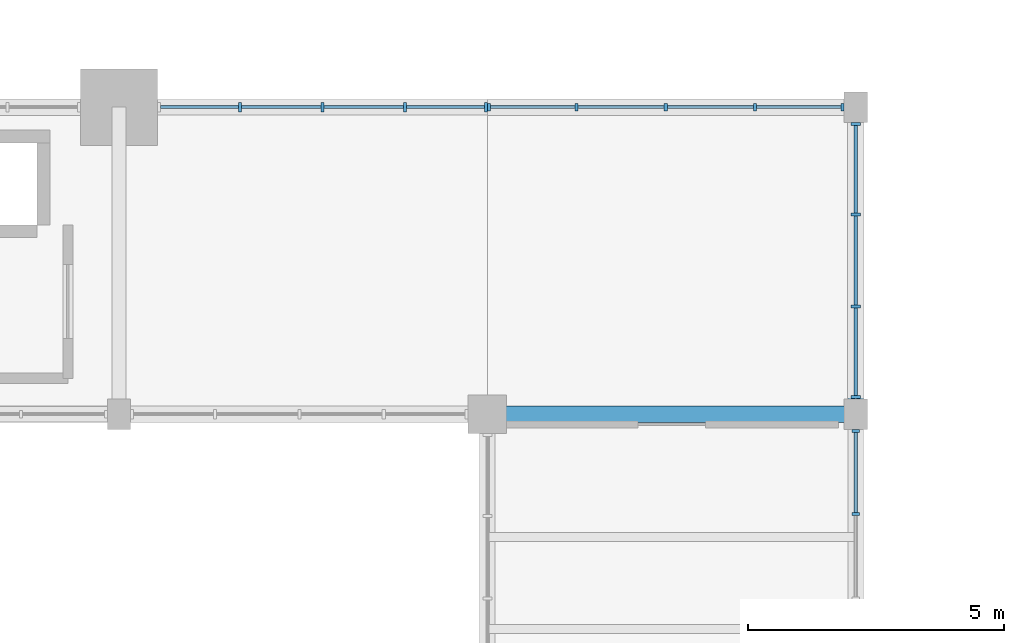
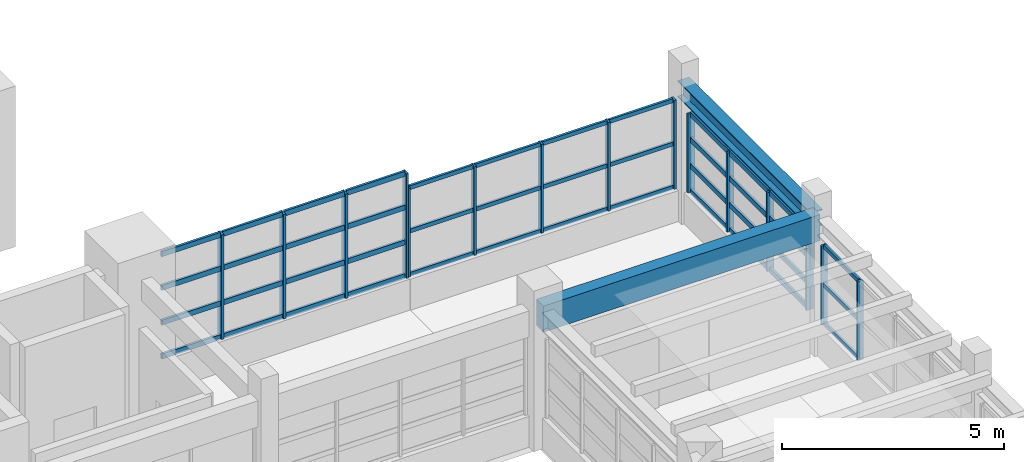
# One storey, part 8 of 69: 58 members, 2 beams, 4 elements without a shape of their own.
"""IFC4 building model written with IfcOpenShell, lengths in metres."""

from ifc_helpers import new_model, si_unit, direction, frame, origin, origin_2d, place, context, subcontext, project, spatial, rectangle, i_section, extrude, material, material_profile, profile_set, type_object, element, aggregate, save


model = new_model("IFC4")

# Units and contexts
model_context = context("Model", 3, precision=1e-05, world=origin(), true_north=direction((0.0, 1.0)))
body_context = subcontext(model_context, "Body", "Model", "MODEL_VIEW")
ifc_project = project(units=[si_unit("LENGTHUNIT", "METRE"), si_unit("AREAUNIT", "SQUARE_METRE"), si_unit("VOLUMEUNIT", "CUBIC_METRE"), si_unit("PLANEANGLEUNIT", "RADIAN"), si_unit("MASSUNIT", "GRAM", prefix="KILO")], contexts=[model_context])

# Site, building, storey
site_placement = place(None, origin())
site = spatial("IfcSite", under=ifc_project, at=site_placement, CompositionType="ELEMENT")
building_placement = place(site_placement, origin())
building = spatial("IfcBuilding", under=site, at=building_placement, Name="Nzembalo Square Collegiate School", CompositionType="ELEMENT")
storey_placement = place(building_placement, frame((0.0, 0.0, 5.10009765625)))
storey = spatial("IfcBuildingStorey", under=building, at=storey_placement, Name="L01", CompositionType="ELEMENT", Elevation=5.10009765625)

# Beams
ifc_material_1 = material(Name="Glulam GL32h", Category="wood")
ifc_material_profile_1 = material_profile(ifc_material_1, rectangle(XDim=0.320068359375, YDim=0.719970703125, at=origin_2d()), Name="GL32h 320x720")
ifc_profile_set_1 = profile_set([ifc_material_profile_1], Name="Glulam GL32h")
beam_type_1 = type_object("IfcBeamType", Name="B03", PredefinedType="BEAM", material=ifc_profile_set_1)
beam_1_placement = place(storey_placement, frame((30.0, 44.39990234375, 3.389892578125), z_axis=(1.0, 0.0, 0.0), x_axis=(0.0, 1.0, 0.0)))
element("IfcBeam", 1, at=beam_1_placement, inside=storey, type_object=beam_type_1, Name="Beam B03 L01", PredefinedType="BEAM", context=body_context, shape_type="SweptSolid", body=[
    extrude(rectangle(XDim=0.320068359375, YDim=0.719970703125, at=origin_2d()), origin(), (0.0, 0.0, 1.0), 7.199951171875),
])
ifc_material_2 = material(Name="Steel S355", Category="steel")
ifc_material_profile_2 = material_profile(ifc_material_2, i_section(OverallWidth=0.300048828125, OverallDepth=0.449951171875, WebThickness=0.013916015625, FlangeThickness=0.02587890625, at=origin_2d()), Name="HEB 450")
ifc_profile_set_2 = profile_set([ifc_material_profile_2], Name="Steel S355")
beam_type_2 = type_object("IfcBeamType", Name="B08", PredefinedType="BEAM", material=ifc_profile_set_2)
beam_2_placement = place(storey_placement, frame((37.199951171875, 44.39990234375, 3.52490234375), z_axis=(0.0, 1.0, 0.0), x_axis=(-1.0, 0.0, 0.0)))
element("IfcBeam", 2, at=beam_2_placement, inside=storey, type_object=beam_type_2, Name="Beam B08 L01", PredefinedType="BEAM", context=body_context, shape_type="SweptSolid", body=[
    extrude(i_section(OverallWidth=0.300048828125, OverallDepth=0.449951171875, WebThickness=0.013916015625, FlangeThickness=0.02587890625, at=origin_2d()), origin(), (0.0, 0.0, 1.0), 6.0),
])

# Curtain wall, members
ifc_material_3 = material(Name="Aluminium 6060-T66", Category="aluminium")
curtain_wall_type_1 = type_object("IfcCurtainWallType", Name="CW-06", PredefinedType="USERDEFINED", material=ifc_material_3)
curtain_wall_1_placement = place(storey_placement, origin())
curtain_wall_1 = element("IfcCurtainWall", 3, at=curtain_wall_1_placement, inside=storey, type_object=curtain_wall_type_1, Name="Curtain wall CW-06 cw:L01:037", ObjectType="LANCET", PredefinedType="USERDEFINED")
ifc_material_4 = material(Name="Aluminium 6060-T66", Category="aluminium")
ifc_material_profile_3 = material_profile(ifc_material_4, rectangle(XDim=0.06005859375, YDim=0.179931640625, at=origin_2d()), Name="ALU M60x180")
ifc_profile_set_3 = profile_set([ifc_material_profile_3], Name="Aluminium 6060-T66")
member_type_1 = type_object("IfcMemberType", Name="ML01", PredefinedType="MULLION", material=ifc_profile_set_3)
member_1_placement = place(storey_placement, frame((25.1640625, 50.39990234375, 0.849853515625), z_axis=(0.0, 0.0, 1.0), x_axis=(1.0, 0.0, 0.0)))
member_1 = element("IfcMember", 4, at=member_1_placement, type_object=member_type_1, Name="ML01 mullion 2", PredefinedType="MULLION", context=body_context, shape_type="SweptSolid", body=[
    extrude(rectangle(XDim=0.06005859375, YDim=0.179931640625, at=origin_2d()), origin(), (0.0, 0.0, 1.0), 2.8740234375),
])
member_2_placement = place(storey_placement, frame((26.77587890625, 50.39990234375, 0.849853515625), z_axis=(0.0, 0.0, 1.0), x_axis=(1.0, 0.0, 0.0)))
member_2 = element("IfcMember", 5, at=member_2_placement, type_object=member_type_1, Name="ML01 mullion 3", PredefinedType="MULLION", context=body_context, shape_type="SweptSolid", body=[
    extrude(rectangle(XDim=0.06005859375, YDim=0.179931640625, at=origin_2d()), origin(), (0.0, 0.0, 1.0), 2.8740234375),
])
member_3_placement = place(storey_placement, frame((28.387939453125, 50.39990234375, 0.849853515625), z_axis=(0.0, 0.0, 1.0), x_axis=(1.0, 0.0, 0.0)))
member_3 = element("IfcMember", 6, at=member_3_placement, type_object=member_type_1, Name="ML01 mullion 4", PredefinedType="MULLION", context=body_context, shape_type="SweptSolid", body=[
    extrude(rectangle(XDim=0.06005859375, YDim=0.179931640625, at=origin_2d()), origin(), (0.0, 0.0, 1.0), 2.8740234375),
])
member_4_placement = place(storey_placement, frame((29.969970703125, 50.39990234375, 0.849853515625), z_axis=(0.0, 0.0, 1.0), x_axis=(1.0, 0.0, 0.0)))
member_4 = element("IfcMember", 7, at=member_4_placement, type_object=member_type_1, Name="ML01 mullion 5", PredefinedType="MULLION", context=body_context, shape_type="SweptSolid", body=[
    extrude(rectangle(XDim=0.06005859375, YDim=0.179931640625, at=origin_2d()), origin(), (0.0, 0.0, 1.0), 2.8740234375),
])

ifc_material_5 = material(Name="Aluminium 6060-T66", Category="aluminium")
curtain_wall_type_2 = type_object("IfcCurtainWallType", Name="CW-13", PredefinedType="USERDEFINED", material=ifc_material_5)
curtain_wall_2_placement = place(storey_placement, origin())
curtain_wall_2 = element("IfcCurtainWall", 8, at=curtain_wall_2_placement, inside=storey, type_object=curtain_wall_type_2, Name="Curtain wall CW-13 cw:L01:044", ObjectType="UNITISED", PredefinedType="USERDEFINED")
member_5_placement = place(storey_placement, frame((37.199951171875, 44.73193359375, 0.849853515625), z_axis=(0.0, 0.0, 1.0), x_axis=(0.0, 1.0, 0.0)))
member_5 = element("IfcMember", 9, at=member_5_placement, type_object=member_type_1, Name="ML01 mullion 1", PredefinedType="MULLION", context=body_context, shape_type="SweptSolid", body=[
    extrude(rectangle(XDim=0.06005859375, YDim=0.179931640625, at=origin_2d()), origin(), (0.0, 0.0, 1.0), 2.174072265625),
])
member_6_placement = place(storey_placement, frame((37.199951171875, 46.500732421875, 0.849853515625), z_axis=(0.0, 0.0, 1.0), x_axis=(0.0, 1.0, 0.0)))
member_6 = element("IfcMember", 10, at=member_6_placement, type_object=member_type_1, Name="ML01 mullion 2", PredefinedType="MULLION", context=body_context, shape_type="SweptSolid", body=[
    extrude(rectangle(XDim=0.06005859375, YDim=0.179931640625, at=origin_2d()), origin(), (0.0, 0.0, 1.0), 2.174072265625),
])
member_7_placement = place(storey_placement, frame((37.199951171875, 48.29931640625, 0.849853515625), z_axis=(0.0, 0.0, 1.0), x_axis=(0.0, 1.0, 0.0)))
member_7 = element("IfcMember", 11, at=member_7_placement, type_object=member_type_1, Name="ML01 mullion 3", PredefinedType="MULLION", context=body_context, shape_type="SweptSolid", body=[
    extrude(rectangle(XDim=0.06005859375, YDim=0.179931640625, at=origin_2d()), origin(), (0.0, 0.0, 1.0), 2.174072265625),
])
member_8_placement = place(storey_placement, frame((37.199951171875, 50.068115234375, 0.849853515625), z_axis=(0.0, 0.0, 1.0), x_axis=(0.0, 1.0, 0.0)))
member_8 = element("IfcMember", 12, at=member_8_placement, type_object=member_type_1, Name="ML01 mullion 4", PredefinedType="MULLION", context=body_context, shape_type="SweptSolid", body=[
    extrude(rectangle(XDim=0.06005859375, YDim=0.179931640625, at=origin_2d()), origin(), (0.0, 0.0, 1.0), 2.174072265625),
])

ifc_material_6 = material(Name="Aluminium 6060-T66", Category="aluminium")
curtain_wall_type_3 = type_object("IfcCurtainWallType", Name="CW-07", PredefinedType="USERDEFINED", material=ifc_material_6)
curtain_wall_3_placement = place(storey_placement, origin())
curtain_wall_3 = element("IfcCurtainWall", 13, at=curtain_wall_3_placement, inside=storey, type_object=curtain_wall_type_3, Name="Curtain wall CW-07 cw:L01:038", ObjectType="LANCET", PredefinedType="USERDEFINED")
ifc_material_7 = material(Name="Aluminium 6060-T66", Category="aluminium")
ifc_material_profile_4 = material_profile(ifc_material_7, rectangle(XDim=0.06005859375, YDim=0.14990234375, at=origin_2d()), Name="ALU M60x150")
ifc_profile_set_4 = profile_set([ifc_material_profile_4], Name="Aluminium 6060-T66")
member_type_2 = type_object("IfcMemberType", Name="ML02", PredefinedType="MULLION", material=ifc_profile_set_4)
member_9_placement = place(storey_placement, frame((30.030029296875, 50.39990234375, 0.849853515625), z_axis=(0.0, 0.0, 1.0), x_axis=(1.0, 0.0, 0.0)))
member_9 = element("IfcMember", 14, at=member_9_placement, type_object=member_type_2, Name="ML02 mullion 1", PredefinedType="MULLION", context=body_context, shape_type="SweptSolid", body=[
    extrude(rectangle(XDim=0.06005859375, YDim=0.14990234375, at=origin_2d()), origin(), (0.0, 0.0, 1.0), 2.444091796875),
])
member_10_placement = place(storey_placement, frame((31.7431640625, 50.39990234375, 0.849853515625), z_axis=(0.0, 0.0, 1.0), x_axis=(1.0, 0.0, 0.0)))
member_10 = element("IfcMember", 15, at=member_10_placement, type_object=member_type_2, Name="ML02 mullion 2", PredefinedType="MULLION", context=body_context, shape_type="SweptSolid", body=[
    extrude(rectangle(XDim=0.06005859375, YDim=0.14990234375, at=origin_2d()), origin(), (0.0, 0.0, 1.0), 2.444091796875),
])
member_11_placement = place(storey_placement, frame((33.486572265625, 50.39990234375, 0.849853515625), z_axis=(0.0, 0.0, 1.0), x_axis=(1.0, 0.0, 0.0)))
member_11 = element("IfcMember", 16, at=member_11_placement, type_object=member_type_2, Name="ML02 mullion 3", PredefinedType="MULLION", context=body_context, shape_type="SweptSolid", body=[
    extrude(rectangle(XDim=0.06005859375, YDim=0.14990234375, at=origin_2d()), origin(), (0.0, 0.0, 1.0), 2.444091796875),
])
member_12_placement = place(storey_placement, frame((35.229736328125, 50.39990234375, 0.849853515625), z_axis=(0.0, 0.0, 1.0), x_axis=(1.0, 0.0, 0.0)))
member_12 = element("IfcMember", 17, at=member_12_placement, type_object=member_type_2, Name="ML02 mullion 4", PredefinedType="MULLION", context=body_context, shape_type="SweptSolid", body=[
    extrude(rectangle(XDim=0.06005859375, YDim=0.14990234375, at=origin_2d()), origin(), (0.0, 0.0, 1.0), 2.444091796875),
])
member_13_placement = place(storey_placement, frame((36.943115234375, 50.39990234375, 0.849853515625), z_axis=(0.0, 0.0, 1.0), x_axis=(1.0, 0.0, 0.0)))
member_13 = element("IfcMember", 18, at=member_13_placement, type_object=member_type_2, Name="ML02 mullion 5", PredefinedType="MULLION", context=body_context, shape_type="SweptSolid", body=[
    extrude(rectangle(XDim=0.06005859375, YDim=0.14990234375, at=origin_2d()), origin(), (0.0, 0.0, 1.0), 2.444091796875),
])

ifc_material_8 = material(Name="Aluminium 6060-T66", Category="aluminium")
curtain_wall_type_4 = type_object("IfcCurtainWallType", Name="CW-04", PredefinedType="USERDEFINED", material=ifc_material_8)
curtain_wall_4_placement = place(storey_placement, origin())
curtain_wall_4 = element("IfcCurtainWall", 19, at=curtain_wall_4_placement, inside=storey, type_object=curtain_wall_type_4, Name="Curtain wall CW-04 cw:L01:043", ObjectType="UNITISED", PredefinedType="USERDEFINED")
member_14_placement = place(storey_placement, frame((37.199951171875, 42.448974609375, 0.849853515625), z_axis=(0.0, 0.0, 1.0), x_axis=(0.0, 1.0, 0.0)))
member_14 = element("IfcMember", 20, at=member_14_placement, type_object=member_type_2, Name="ML02 mullion 4", PredefinedType="MULLION", context=body_context, shape_type="SweptSolid", body=[
    extrude(rectangle(XDim=0.06005859375, YDim=0.14990234375, at=origin_2d()), origin(), (0.0, 0.0, 1.0), 2.174072265625),
])
member_15_placement = place(storey_placement, frame((37.199951171875, 44.068115234375, 0.849853515625), z_axis=(0.0, 0.0, 1.0), x_axis=(0.0, 1.0, 0.0)))
member_15 = element("IfcMember", 21, at=member_15_placement, type_object=member_type_2, Name="ML02 mullion 5", PredefinedType="MULLION", context=body_context, shape_type="SweptSolid", body=[
    extrude(rectangle(XDim=0.06005859375, YDim=0.14990234375, at=origin_2d()), origin(), (0.0, 0.0, 1.0), 2.174072265625),
])

# Member
ifc_material_9 = material(Name="Aluminium 6060-T66", Category="aluminium")
ifc_material_profile_5 = material_profile(ifc_material_9, rectangle(XDim=0.06005859375, YDim=0.139892578125, at=origin_2d()), Name="ALU T60x140")
ifc_profile_set_5 = profile_set([ifc_material_profile_5], Name="Aluminium 6060-T66")
member_type_3 = type_object("IfcMemberType", Name="TR01", PredefinedType="USERDEFINED", material=ifc_profile_set_5)
member_16_placement = place(storey_placement, frame((23.612060546875, 50.39990234375, 0.8798828125), z_axis=(1.0, 0.0, 0.0), x_axis=(0.0, 1.0, 0.0)))
member_16 = element("IfcMember", 22, at=member_16_placement, type_object=member_type_3, Name="TR01 transom 1-1", ObjectType="TRANSOM", PredefinedType="USERDEFINED", context=body_context, shape_type="SweptSolid", body=[
    extrude(rectangle(XDim=0.06005859375, YDim=0.139892578125, at=origin_2d()), origin(), (0.0, 0.0, 1.0), 1.52197265625),
])

member_17_placement = place(storey_placement, frame((25.194091796875, 50.39990234375, 0.8798828125), z_axis=(1.0, 0.0, 0.0), x_axis=(0.0, 1.0, 0.0)))
member_17 = element("IfcMember", 23, at=member_17_placement, type_object=member_type_3, Name="TR01 transom 1-2", ObjectType="TRANSOM", PredefinedType="USERDEFINED", context=body_context, shape_type="SweptSolid", body=[
    extrude(rectangle(XDim=0.06005859375, YDim=0.139892578125, at=origin_2d()), origin(), (0.0, 0.0, 1.0), 1.552001953125),
])

member_18_placement = place(storey_placement, frame((26.805908203125, 50.39990234375, 0.8798828125), z_axis=(1.0, 0.0, 0.0), x_axis=(0.0, 1.0, 0.0)))
member_18 = element("IfcMember", 24, at=member_18_placement, type_object=member_type_3, Name="TR01 transom 1-3", ObjectType="TRANSOM", PredefinedType="USERDEFINED", context=body_context, shape_type="SweptSolid", body=[
    extrude(rectangle(XDim=0.06005859375, YDim=0.139892578125, at=origin_2d()), origin(), (0.0, 0.0, 1.0), 1.552001953125),
])

member_19_placement = place(storey_placement, frame((28.41796875, 50.39990234375, 0.8798828125), z_axis=(1.0, 0.0, 0.0), x_axis=(0.0, 1.0, 0.0)))
member_19 = element("IfcMember", 25, at=member_19_placement, type_object=member_type_3, Name="TR01 transom 1-4", ObjectType="TRANSOM", PredefinedType="USERDEFINED", context=body_context, shape_type="SweptSolid", body=[
    extrude(rectangle(XDim=0.06005859375, YDim=0.139892578125, at=origin_2d()), origin(), (0.0, 0.0, 1.0), 1.52197265625),
])

member_20_placement = place(storey_placement, frame((23.612060546875, 50.39990234375, 1.807861328125), z_axis=(1.0, 0.0, 0.0), x_axis=(0.0, 1.0, 0.0)))
member_20 = element("IfcMember", 26, at=member_20_placement, type_object=member_type_3, Name="TR01 transom 2-1", ObjectType="TRANSOM", PredefinedType="USERDEFINED", context=body_context, shape_type="SweptSolid", body=[
    extrude(rectangle(XDim=0.06005859375, YDim=0.139892578125, at=origin_2d()), origin(), (0.0, 0.0, 1.0), 1.52197265625),
])

member_21_placement = place(storey_placement, frame((25.194091796875, 50.39990234375, 1.807861328125), z_axis=(1.0, 0.0, 0.0), x_axis=(0.0, 1.0, 0.0)))
member_21 = element("IfcMember", 27, at=member_21_placement, type_object=member_type_3, Name="TR01 transom 2-2", ObjectType="TRANSOM", PredefinedType="USERDEFINED", context=body_context, shape_type="SweptSolid", body=[
    extrude(rectangle(XDim=0.06005859375, YDim=0.139892578125, at=origin_2d()), origin(), (0.0, 0.0, 1.0), 1.552001953125),
])

member_22_placement = place(storey_placement, frame((26.805908203125, 50.39990234375, 1.807861328125), z_axis=(1.0, 0.0, 0.0), x_axis=(0.0, 1.0, 0.0)))
member_22 = element("IfcMember", 28, at=member_22_placement, type_object=member_type_3, Name="TR01 transom 2-3", ObjectType="TRANSOM", PredefinedType="USERDEFINED", context=body_context, shape_type="SweptSolid", body=[
    extrude(rectangle(XDim=0.06005859375, YDim=0.139892578125, at=origin_2d()), origin(), (0.0, 0.0, 1.0), 1.552001953125),
])

member_23_placement = place(storey_placement, frame((28.41796875, 50.39990234375, 1.807861328125), z_axis=(1.0, 0.0, 0.0), x_axis=(0.0, 1.0, 0.0)))
member_23 = element("IfcMember", 29, at=member_23_placement, type_object=member_type_3, Name="TR01 transom 2-4", ObjectType="TRANSOM", PredefinedType="USERDEFINED", context=body_context, shape_type="SweptSolid", body=[
    extrude(rectangle(XDim=0.06005859375, YDim=0.139892578125, at=origin_2d()), origin(), (0.0, 0.0, 1.0), 1.52197265625),
])

member_24_placement = place(storey_placement, frame((23.612060546875, 50.39990234375, 2.765869140625), z_axis=(1.0, 0.0, 0.0), x_axis=(0.0, 1.0, 0.0)))
member_24 = element("IfcMember", 30, at=member_24_placement, type_object=member_type_3, Name="TR01 transom 3-1", ObjectType="TRANSOM", PredefinedType="USERDEFINED", context=body_context, shape_type="SweptSolid", body=[
    extrude(rectangle(XDim=0.06005859375, YDim=0.139892578125, at=origin_2d()), origin(), (0.0, 0.0, 1.0), 1.52197265625),
])

member_25_placement = place(storey_placement, frame((25.194091796875, 50.39990234375, 2.765869140625), z_axis=(1.0, 0.0, 0.0), x_axis=(0.0, 1.0, 0.0)))
member_25 = element("IfcMember", 31, at=member_25_placement, type_object=member_type_3, Name="TR01 transom 3-2", ObjectType="TRANSOM", PredefinedType="USERDEFINED", context=body_context, shape_type="SweptSolid", body=[
    extrude(rectangle(XDim=0.06005859375, YDim=0.139892578125, at=origin_2d()), origin(), (0.0, 0.0, 1.0), 1.552001953125),
])

member_26_placement = place(storey_placement, frame((26.805908203125, 50.39990234375, 2.765869140625), z_axis=(1.0, 0.0, 0.0), x_axis=(0.0, 1.0, 0.0)))
member_26 = element("IfcMember", 32, at=member_26_placement, type_object=member_type_3, Name="TR01 transom 3-3", ObjectType="TRANSOM", PredefinedType="USERDEFINED", context=body_context, shape_type="SweptSolid", body=[
    extrude(rectangle(XDim=0.06005859375, YDim=0.139892578125, at=origin_2d()), origin(), (0.0, 0.0, 1.0), 1.552001953125),
])

member_27_placement = place(storey_placement, frame((28.41796875, 50.39990234375, 2.765869140625), z_axis=(1.0, 0.0, 0.0), x_axis=(0.0, 1.0, 0.0)))
member_27 = element("IfcMember", 33, at=member_27_placement, type_object=member_type_3, Name="TR01 transom 3-4", ObjectType="TRANSOM", PredefinedType="USERDEFINED", context=body_context, shape_type="SweptSolid", body=[
    extrude(rectangle(XDim=0.06005859375, YDim=0.139892578125, at=origin_2d()), origin(), (0.0, 0.0, 1.0), 1.52197265625),
])

member_28_placement = place(storey_placement, frame((23.612060546875, 50.39990234375, 3.69384765625), z_axis=(1.0, 0.0, 0.0), x_axis=(0.0, 1.0, 0.0)))
member_28 = element("IfcMember", 34, at=member_28_placement, type_object=member_type_3, Name="TR01 transom 4-1", ObjectType="TRANSOM", PredefinedType="USERDEFINED", context=body_context, shape_type="SweptSolid", body=[
    extrude(rectangle(XDim=0.06005859375, YDim=0.139892578125, at=origin_2d()), origin(), (0.0, 0.0, 1.0), 1.52197265625),
])

member_29_placement = place(storey_placement, frame((25.194091796875, 50.39990234375, 3.69384765625), z_axis=(1.0, 0.0, 0.0), x_axis=(0.0, 1.0, 0.0)))
member_29 = element("IfcMember", 35, at=member_29_placement, type_object=member_type_3, Name="TR01 transom 4-2", ObjectType="TRANSOM", PredefinedType="USERDEFINED", context=body_context, shape_type="SweptSolid", body=[
    extrude(rectangle(XDim=0.06005859375, YDim=0.139892578125, at=origin_2d()), origin(), (0.0, 0.0, 1.0), 1.552001953125),
])

member_30_placement = place(storey_placement, frame((26.805908203125, 50.39990234375, 3.69384765625), z_axis=(1.0, 0.0, 0.0), x_axis=(0.0, 1.0, 0.0)))
member_30 = element("IfcMember", 36, at=member_30_placement, type_object=member_type_3, Name="TR01 transom 4-3", ObjectType="TRANSOM", PredefinedType="USERDEFINED", context=body_context, shape_type="SweptSolid", body=[
    extrude(rectangle(XDim=0.06005859375, YDim=0.139892578125, at=origin_2d()), origin(), (0.0, 0.0, 1.0), 1.552001953125),
])

member_31_placement = place(storey_placement, frame((28.41796875, 50.39990234375, 3.69384765625), z_axis=(1.0, 0.0, 0.0), x_axis=(0.0, 1.0, 0.0)))
member_31 = element("IfcMember", 37, at=member_31_placement, type_object=member_type_3, Name="TR01 transom 4-4", ObjectType="TRANSOM", PredefinedType="USERDEFINED", context=body_context, shape_type="SweptSolid", body=[
    extrude(rectangle(XDim=0.06005859375, YDim=0.139892578125, at=origin_2d()), origin(), (0.0, 0.0, 1.0), 1.52197265625),
])

aggregate(curtain_wall_1, [member_1, member_2, member_3, member_4, member_16, member_17, member_18, member_19, member_20, member_21, member_22, member_23, member_24, member_25, member_26, member_27, member_28, member_29, member_30, member_31])

member_32_placement = place(storey_placement, frame((37.199951171875, 44.761962890625, 0.8798828125), z_axis=(0.0, 1.0, 0.0), x_axis=(-1.0, 0.0, 0.0)))
member_32 = element("IfcMember", 38, at=member_32_placement, type_object=member_type_3, Name="TR01 transom 1-1", ObjectType="TRANSOM", PredefinedType="USERDEFINED", context=body_context, shape_type="SweptSolid", body=[
    extrude(rectangle(XDim=0.06005859375, YDim=0.139892578125, at=origin_2d()), origin(), (0.0, 0.0, 1.0), 1.708740234375),
])

member_33_placement = place(storey_placement, frame((37.199951171875, 46.53076171875, 0.8798828125), z_axis=(0.0, 1.0, 0.0), x_axis=(-1.0, 0.0, 0.0)))
member_33 = element("IfcMember", 39, at=member_33_placement, type_object=member_type_3, Name="TR01 transom 1-2", ObjectType="TRANSOM", PredefinedType="USERDEFINED", context=body_context, shape_type="SweptSolid", body=[
    extrude(rectangle(XDim=0.06005859375, YDim=0.139892578125, at=origin_2d()), origin(), (0.0, 0.0, 1.0), 1.738525390625),
])

member_34_placement = place(storey_placement, frame((37.199951171875, 48.329345703125, 0.8798828125), z_axis=(0.0, 1.0, 0.0), x_axis=(-1.0, 0.0, 0.0)))
member_34 = element("IfcMember", 40, at=member_34_placement, type_object=member_type_3, Name="TR01 transom 1-3", ObjectType="TRANSOM", PredefinedType="USERDEFINED", context=body_context, shape_type="SweptSolid", body=[
    extrude(rectangle(XDim=0.06005859375, YDim=0.139892578125, at=origin_2d()), origin(), (0.0, 0.0, 1.0), 1.708740234375),
])

member_35_placement = place(storey_placement, frame((37.199951171875, 44.761962890625, 1.574462890625), z_axis=(0.0, 1.0, 0.0), x_axis=(-1.0, 0.0, 0.0)))
member_35 = element("IfcMember", 41, at=member_35_placement, type_object=member_type_3, Name="TR01 transom 2-1", ObjectType="TRANSOM", PredefinedType="USERDEFINED", context=body_context, shape_type="SweptSolid", body=[
    extrude(rectangle(XDim=0.06005859375, YDim=0.139892578125, at=origin_2d()), origin(), (0.0, 0.0, 1.0), 1.708740234375),
])

member_36_placement = place(storey_placement, frame((37.199951171875, 46.53076171875, 1.574462890625), z_axis=(0.0, 1.0, 0.0), x_axis=(-1.0, 0.0, 0.0)))
member_36 = element("IfcMember", 42, at=member_36_placement, type_object=member_type_3, Name="TR01 transom 2-2", ObjectType="TRANSOM", PredefinedType="USERDEFINED", context=body_context, shape_type="SweptSolid", body=[
    extrude(rectangle(XDim=0.06005859375, YDim=0.139892578125, at=origin_2d()), origin(), (0.0, 0.0, 1.0), 1.738525390625),
])

member_37_placement = place(storey_placement, frame((37.199951171875, 48.329345703125, 1.574462890625), z_axis=(0.0, 1.0, 0.0), x_axis=(-1.0, 0.0, 0.0)))
member_37 = element("IfcMember", 43, at=member_37_placement, type_object=member_type_3, Name="TR01 transom 2-3", ObjectType="TRANSOM", PredefinedType="USERDEFINED", context=body_context, shape_type="SweptSolid", body=[
    extrude(rectangle(XDim=0.06005859375, YDim=0.139892578125, at=origin_2d()), origin(), (0.0, 0.0, 1.0), 1.708740234375),
])

member_38_placement = place(storey_placement, frame((37.199951171875, 44.761962890625, 2.29931640625), z_axis=(0.0, 1.0, 0.0), x_axis=(-1.0, 0.0, 0.0)))
member_38 = element("IfcMember", 44, at=member_38_placement, type_object=member_type_3, Name="TR01 transom 3-1", ObjectType="TRANSOM", PredefinedType="USERDEFINED", context=body_context, shape_type="SweptSolid", body=[
    extrude(rectangle(XDim=0.06005859375, YDim=0.139892578125, at=origin_2d()), origin(), (0.0, 0.0, 1.0), 1.708740234375),
])

member_39_placement = place(storey_placement, frame((37.199951171875, 46.53076171875, 2.29931640625), z_axis=(0.0, 1.0, 0.0), x_axis=(-1.0, 0.0, 0.0)))
member_39 = element("IfcMember", 45, at=member_39_placement, type_object=member_type_3, Name="TR01 transom 3-2", ObjectType="TRANSOM", PredefinedType="USERDEFINED", context=body_context, shape_type="SweptSolid", body=[
    extrude(rectangle(XDim=0.06005859375, YDim=0.139892578125, at=origin_2d()), origin(), (0.0, 0.0, 1.0), 1.738525390625),
])

member_40_placement = place(storey_placement, frame((37.199951171875, 48.329345703125, 2.29931640625), z_axis=(0.0, 1.0, 0.0), x_axis=(-1.0, 0.0, 0.0)))
member_40 = element("IfcMember", 46, at=member_40_placement, type_object=member_type_3, Name="TR01 transom 3-3", ObjectType="TRANSOM", PredefinedType="USERDEFINED", context=body_context, shape_type="SweptSolid", body=[
    extrude(rectangle(XDim=0.06005859375, YDim=0.139892578125, at=origin_2d()), origin(), (0.0, 0.0, 1.0), 1.708740234375),
])

member_41_placement = place(storey_placement, frame((37.199951171875, 44.761962890625, 2.993896484375), z_axis=(0.0, 1.0, 0.0), x_axis=(-1.0, 0.0, 0.0)))
member_41 = element("IfcMember", 47, at=member_41_placement, type_object=member_type_3, Name="TR01 transom 4-1", ObjectType="TRANSOM", PredefinedType="USERDEFINED", context=body_context, shape_type="SweptSolid", body=[
    extrude(rectangle(XDim=0.06005859375, YDim=0.139892578125, at=origin_2d()), origin(), (0.0, 0.0, 1.0), 1.708740234375),
])

member_42_placement = place(storey_placement, frame((37.199951171875, 46.53076171875, 2.993896484375), z_axis=(0.0, 1.0, 0.0), x_axis=(-1.0, 0.0, 0.0)))
member_42 = element("IfcMember", 48, at=member_42_placement, type_object=member_type_3, Name="TR01 transom 4-2", ObjectType="TRANSOM", PredefinedType="USERDEFINED", context=body_context, shape_type="SweptSolid", body=[
    extrude(rectangle(XDim=0.06005859375, YDim=0.139892578125, at=origin_2d()), origin(), (0.0, 0.0, 1.0), 1.738525390625),
])

member_43_placement = place(storey_placement, frame((37.199951171875, 48.329345703125, 2.993896484375), z_axis=(0.0, 1.0, 0.0), x_axis=(-1.0, 0.0, 0.0)))
member_43 = element("IfcMember", 49, at=member_43_placement, type_object=member_type_3, Name="TR01 transom 4-3", ObjectType="TRANSOM", PredefinedType="USERDEFINED", context=body_context, shape_type="SweptSolid", body=[
    extrude(rectangle(XDim=0.06005859375, YDim=0.139892578125, at=origin_2d()), origin(), (0.0, 0.0, 1.0), 1.708740234375),
])

aggregate(curtain_wall_2, [member_5, member_6, member_7, member_8, member_32, member_33, member_34, member_35, member_36, member_37, member_38, member_39, member_40, member_41, member_42, member_43])

ifc_material_10 = material(Name="Aluminium 6060-T66", Category="aluminium")
ifc_material_profile_6 = material_profile(ifc_material_10, rectangle(XDim=0.06005859375, YDim=0.110107421875, at=origin_2d()), Name="ALU T60x110")
ifc_profile_set_6 = profile_set([ifc_material_profile_6], Name="Aluminium 6060-T66")
member_type_4 = type_object("IfcMemberType", Name="TR02", PredefinedType="USERDEFINED", material=ifc_profile_set_6)
member_44_placement = place(storey_placement, frame((30.06005859375, 50.39990234375, 0.8798828125), z_axis=(1.0, 0.0, 0.0), x_axis=(0.0, 1.0, 0.0)))
member_44 = element("IfcMember", 50, at=member_44_placement, type_object=member_type_4, Name="TR02 transom 1-1", ObjectType="TRANSOM", PredefinedType="USERDEFINED", context=body_context, shape_type="SweptSolid", body=[
    extrude(rectangle(XDim=0.06005859375, YDim=0.110107421875, at=origin_2d()), origin(), (0.0, 0.0, 1.0), 1.653076171875),
])

member_45_placement = place(storey_placement, frame((31.773193359375, 50.39990234375, 0.8798828125), z_axis=(1.0, 0.0, 0.0), x_axis=(0.0, 1.0, 0.0)))
member_45 = element("IfcMember", 51, at=member_45_placement, type_object=member_type_4, Name="TR02 transom 1-2", ObjectType="TRANSOM", PredefinedType="USERDEFINED", context=body_context, shape_type="SweptSolid", body=[
    extrude(rectangle(XDim=0.06005859375, YDim=0.110107421875, at=origin_2d()), origin(), (0.0, 0.0, 1.0), 1.683349609375),
])

member_46_placement = place(storey_placement, frame((33.5166015625, 50.39990234375, 0.8798828125), z_axis=(1.0, 0.0, 0.0), x_axis=(0.0, 1.0, 0.0)))
member_46 = element("IfcMember", 52, at=member_46_placement, type_object=member_type_4, Name="TR02 transom 1-3", ObjectType="TRANSOM", PredefinedType="USERDEFINED", context=body_context, shape_type="SweptSolid", body=[
    extrude(rectangle(XDim=0.06005859375, YDim=0.110107421875, at=origin_2d()), origin(), (0.0, 0.0, 1.0), 1.68310546875),
])

member_47_placement = place(storey_placement, frame((35.259765625, 50.39990234375, 0.8798828125), z_axis=(1.0, 0.0, 0.0), x_axis=(0.0, 1.0, 0.0)))
member_47 = element("IfcMember", 53, at=member_47_placement, type_object=member_type_4, Name="TR02 transom 1-4", ObjectType="TRANSOM", PredefinedType="USERDEFINED", context=body_context, shape_type="SweptSolid", body=[
    extrude(rectangle(XDim=0.06005859375, YDim=0.110107421875, at=origin_2d()), origin(), (0.0, 0.0, 1.0), 1.6533203125),
])

member_48_placement = place(storey_placement, frame((30.06005859375, 50.39990234375, 2.072021484375), z_axis=(1.0, 0.0, 0.0), x_axis=(0.0, 1.0, 0.0)))
member_48 = element("IfcMember", 54, at=member_48_placement, type_object=member_type_4, Name="TR02 transom 2-1", ObjectType="TRANSOM", PredefinedType="USERDEFINED", context=body_context, shape_type="SweptSolid", body=[
    extrude(rectangle(XDim=0.06005859375, YDim=0.110107421875, at=origin_2d()), origin(), (0.0, 0.0, 1.0), 1.653076171875),
])

member_49_placement = place(storey_placement, frame((31.773193359375, 50.39990234375, 2.072021484375), z_axis=(1.0, 0.0, 0.0), x_axis=(0.0, 1.0, 0.0)))
member_49 = element("IfcMember", 55, at=member_49_placement, type_object=member_type_4, Name="TR02 transom 2-2", ObjectType="TRANSOM", PredefinedType="USERDEFINED", context=body_context, shape_type="SweptSolid", body=[
    extrude(rectangle(XDim=0.06005859375, YDim=0.110107421875, at=origin_2d()), origin(), (0.0, 0.0, 1.0), 1.683349609375),
])

member_50_placement = place(storey_placement, frame((33.5166015625, 50.39990234375, 2.072021484375), z_axis=(1.0, 0.0, 0.0), x_axis=(0.0, 1.0, 0.0)))
member_50 = element("IfcMember", 56, at=member_50_placement, type_object=member_type_4, Name="TR02 transom 2-3", ObjectType="TRANSOM", PredefinedType="USERDEFINED", context=body_context, shape_type="SweptSolid", body=[
    extrude(rectangle(XDim=0.06005859375, YDim=0.110107421875, at=origin_2d()), origin(), (0.0, 0.0, 1.0), 1.68310546875),
])

member_51_placement = place(storey_placement, frame((35.259765625, 50.39990234375, 2.072021484375), z_axis=(1.0, 0.0, 0.0), x_axis=(0.0, 1.0, 0.0)))
member_51 = element("IfcMember", 57, at=member_51_placement, type_object=member_type_4, Name="TR02 transom 2-4", ObjectType="TRANSOM", PredefinedType="USERDEFINED", context=body_context, shape_type="SweptSolid", body=[
    extrude(rectangle(XDim=0.06005859375, YDim=0.110107421875, at=origin_2d()), origin(), (0.0, 0.0, 1.0), 1.6533203125),
])

member_52_placement = place(storey_placement, frame((30.06005859375, 50.39990234375, 3.263916015625), z_axis=(1.0, 0.0, 0.0), x_axis=(0.0, 1.0, 0.0)))
member_52 = element("IfcMember", 58, at=member_52_placement, type_object=member_type_4, Name="TR02 transom 3-1", ObjectType="TRANSOM", PredefinedType="USERDEFINED", context=body_context, shape_type="SweptSolid", body=[
    extrude(rectangle(XDim=0.06005859375, YDim=0.110107421875, at=origin_2d()), origin(), (0.0, 0.0, 1.0), 1.653076171875),
])

member_53_placement = place(storey_placement, frame((31.773193359375, 50.39990234375, 3.263916015625), z_axis=(1.0, 0.0, 0.0), x_axis=(0.0, 1.0, 0.0)))
member_53 = element("IfcMember", 59, at=member_53_placement, type_object=member_type_4, Name="TR02 transom 3-2", ObjectType="TRANSOM", PredefinedType="USERDEFINED", context=body_context, shape_type="SweptSolid", body=[
    extrude(rectangle(XDim=0.06005859375, YDim=0.110107421875, at=origin_2d()), origin(), (0.0, 0.0, 1.0), 1.683349609375),
])

member_54_placement = place(storey_placement, frame((33.5166015625, 50.39990234375, 3.263916015625), z_axis=(1.0, 0.0, 0.0), x_axis=(0.0, 1.0, 0.0)))
member_54 = element("IfcMember", 60, at=member_54_placement, type_object=member_type_4, Name="TR02 transom 3-3", ObjectType="TRANSOM", PredefinedType="USERDEFINED", context=body_context, shape_type="SweptSolid", body=[
    extrude(rectangle(XDim=0.06005859375, YDim=0.110107421875, at=origin_2d()), origin(), (0.0, 0.0, 1.0), 1.68310546875),
])

member_55_placement = place(storey_placement, frame((35.259765625, 50.39990234375, 3.263916015625), z_axis=(1.0, 0.0, 0.0), x_axis=(0.0, 1.0, 0.0)))
member_55 = element("IfcMember", 61, at=member_55_placement, type_object=member_type_4, Name="TR02 transom 3-4", ObjectType="TRANSOM", PredefinedType="USERDEFINED", context=body_context, shape_type="SweptSolid", body=[
    extrude(rectangle(XDim=0.06005859375, YDim=0.110107421875, at=origin_2d()), origin(), (0.0, 0.0, 1.0), 1.6533203125),
])

aggregate(curtain_wall_3, [member_9, member_10, member_11, member_12, member_13, member_44, member_45, member_46, member_47, member_48, member_49, member_50, member_51, member_52, member_53, member_54, member_55])

member_56_placement = place(storey_placement, frame((37.199951171875, 42.47900390625, 0.8798828125), z_axis=(0.0, 1.0, 0.0), x_axis=(-1.0, 0.0, 0.0)))
member_56 = element("IfcMember", 62, at=member_56_placement, type_object=member_type_4, Name="TR02 transom 1-4", ObjectType="TRANSOM", PredefinedType="USERDEFINED", context=body_context, shape_type="SweptSolid", body=[
    extrude(rectangle(XDim=0.06005859375, YDim=0.110107421875, at=origin_2d()), origin(), (0.0, 0.0, 1.0), 1.55908203125),
])

member_57_placement = place(storey_placement, frame((37.199951171875, 42.47900390625, 1.93701171875), z_axis=(0.0, 1.0, 0.0), x_axis=(-1.0, 0.0, 0.0)))
member_57 = element("IfcMember", 63, at=member_57_placement, type_object=member_type_4, Name="TR02 transom 2-4", ObjectType="TRANSOM", PredefinedType="USERDEFINED", context=body_context, shape_type="SweptSolid", body=[
    extrude(rectangle(XDim=0.06005859375, YDim=0.110107421875, at=origin_2d()), origin(), (0.0, 0.0, 1.0), 1.55908203125),
])

member_58_placement = place(storey_placement, frame((37.199951171875, 42.47900390625, 2.993896484375), z_axis=(0.0, 1.0, 0.0), x_axis=(-1.0, 0.0, 0.0)))
member_58 = element("IfcMember", 64, at=member_58_placement, type_object=member_type_4, Name="TR02 transom 3-4", ObjectType="TRANSOM", PredefinedType="USERDEFINED", context=body_context, shape_type="SweptSolid", body=[
    extrude(rectangle(XDim=0.06005859375, YDim=0.110107421875, at=origin_2d()), origin(), (0.0, 0.0, 1.0), 1.55908203125),
])

aggregate(curtain_wall_4, [member_14, member_15, member_56, member_57, member_58])

save(model, "model.ifc")
